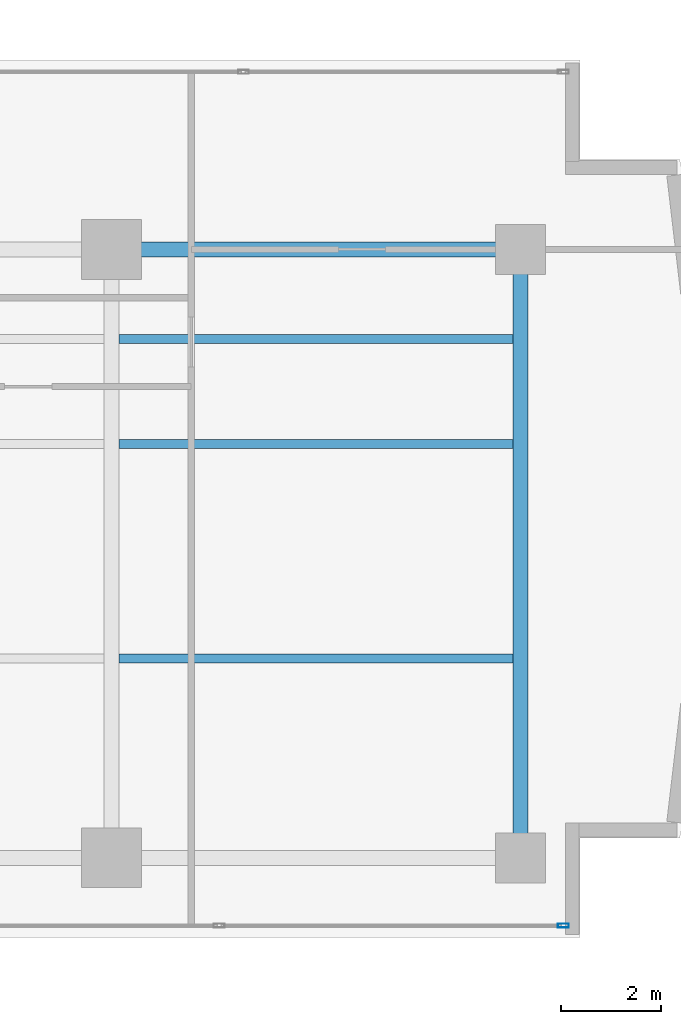
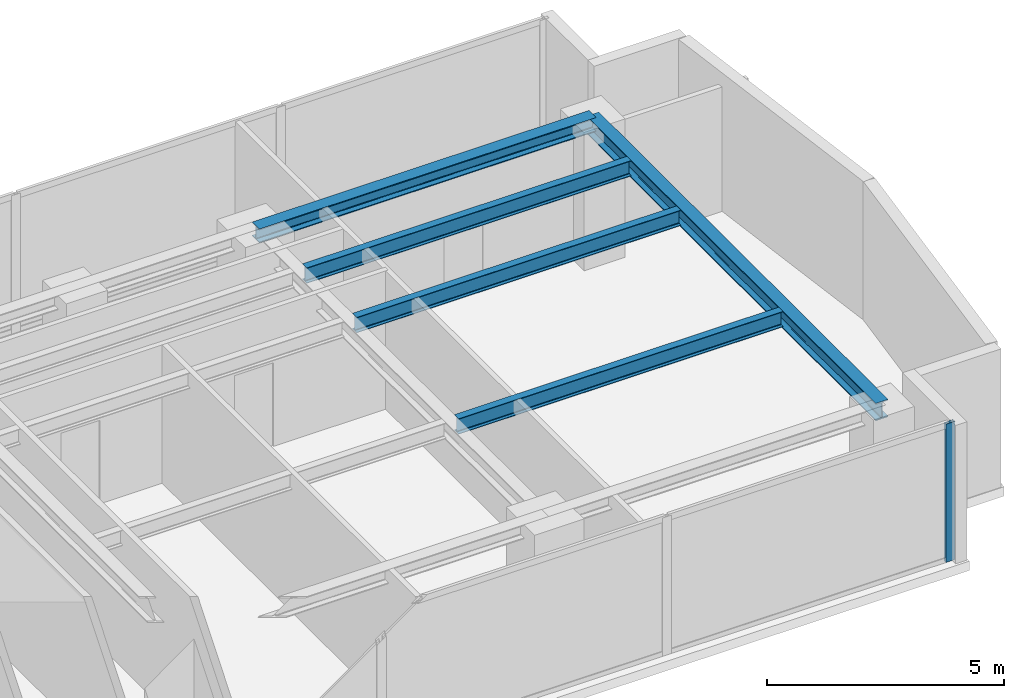
# One storey, part 13 of 28: 5 beams, 1 member, 1 element without a shape of its own.
"""IFC4 building model written with IfcOpenShell, lengths in metres."""

import ifcopenshell
import ifcopenshell.guid

model = None  # the IFC model being written
_history = None  # IfcOwnerHistory: only IFC2X3 demands one
_inside = {}  # id of a spatial element -> (the spatial element, [elements in it])
_under = {}  # id of a project, library or spatial element -> (it, [spatial elements below it])
_declared = {}  # id of a project -> (the project, [libraries it declares])
_typed = {}  # id of a type object -> (the type object, [elements of that type])
_made_of = {}  # id of a material, layer set ... -> (it, [elements and type objects made of it])


def new_model(schema):
    """Start an empty IFC model of exactly this schema.

    Asked for "IFC4X3", IfcOpenShell would pick the latest addendum, in which some entities
    have other attributes; the version numbers below select the first issue.
    IFC2X3 requires an IfcOwnerHistory on every rooted entity: one is made here for all.
    """
    global model, _history
    if schema == "IFC4X3":
        model = ifcopenshell.file(schema_version=(4, 3, 0, 0))
    else:
        model = ifcopenshell.file(schema=schema)
    _inside.clear()
    _under.clear()
    _declared.clear()
    _typed.clear()
    _made_of.clear()
    _history = None
    if model.schema == "IFC2X3":
        org = make("IfcOrganization", Name="unknown")
        user = make(
            "IfcPersonAndOrganization",
            ThePerson=make("IfcPerson", FamilyName="unknown"),
            TheOrganization=org,
        )
        app = make(
            "IfcApplication",
            ApplicationDeveloper=org,
            Version="unknown",
            ApplicationFullName="unknown",
            ApplicationIdentifier="unknown",
        )
        _history = make(
            "IfcOwnerHistory",
            OwningUser=user,
            OwningApplication=app,
            ChangeAction="ADDED",
            CreationDate=0,
        )
    return model


def make(cls, **values):
    """One entity of the class cls with the attributes given. An attribute that is None is left unset."""
    return model.create_entity(
        cls, **{name: value for name, value in values.items() if value is not None}
    )


def rooted(cls, **values):
    """An entity with a GlobalId (a new one), such as an element, a storey or a relation."""
    return make(cls, GlobalId=ifcopenshell.guid.new(), OwnerHistory=_history, **values)


def si_unit(unit_type, name, prefix=None):
    """IfcSIUnit, for example si_unit("LENGTHUNIT", "METRE", prefix="MILLI")."""
    return make("IfcSIUnit", UnitType=unit_type, Prefix=prefix, Name=name)


def assignment(units):
    """IfcUnitAssignment: the units of a project."""
    return None if units is None else make("IfcUnitAssignment", Units=units)


def point(xyz):
    """IfcCartesianPoint."""
    return None if xyz is None else make("IfcCartesianPoint", Coordinates=xyz)


def direction(xyz):
    """IfcDirection."""
    return None if xyz is None else make("IfcDirection", DirectionRatios=xyz)


def frame(location, z_axis=None, x_axis=None):
    """IfcAxis2Placement3D, a coordinate frame: its origin and axes. An axis left out is left unset."""
    return make(
        "IfcAxis2Placement3D",
        Location=point(location),
        Axis=direction(z_axis),
        RefDirection=direction(x_axis),
    )


def frame_2d(location, x_axis=None):
    """IfcAxis2Placement2D, a coordinate frame in the plane: its origin and x axis."""
    return make(
        "IfcAxis2Placement2D", Location=point(location), RefDirection=direction(x_axis)
    )


def origin():
    """The frame at (0, 0, 0) with its axes left unset."""
    return frame((0.0, 0.0, 0.0))


def origin_with_axes():
    """The frame at (0, 0, 0) with the z axis (0, 0, 1) and the x axis (1, 0, 0) written out."""
    return frame((0.0, 0.0, 0.0), z_axis=(0.0, 0.0, 1.0), x_axis=(1.0, 0.0, 0.0))


def origin_2d():
    """The frame at (0, 0) in the plane with its x axis left unset."""
    return frame_2d((0.0, 0.0))


def place(relative_to, where):
    """IfcLocalPlacement: puts the frame where relative to a parent placement (None: the world)."""
    return make(
        "IfcLocalPlacement", PlacementRelTo=relative_to, RelativePlacement=where
    )


def context(
    kind, dimensions, precision=None, world=None, true_north=None, identifier=None
):
    """IfcGeometricRepresentationContext, for example the 3D "Model" context."""
    return make(
        "IfcGeometricRepresentationContext",
        ContextIdentifier=identifier,
        ContextType=kind,
        CoordinateSpaceDimension=dimensions,
        Precision=precision,
        WorldCoordinateSystem=world,
        TrueNorth=true_north,
    )


def subcontext(parent, identifier, kind, view, scale=None):
    """IfcGeometricRepresentationSubContext, for example "Body" below "Model"."""
    return make(
        "IfcGeometricRepresentationSubContext",
        ContextIdentifier=identifier,
        ContextType=kind,
        ParentContext=parent,
        TargetScale=scale,
        TargetView=view,
    )


def project(units=None, contexts=None):
    """IfcProject with its units and contexts."""
    return rooted(
        "IfcProject",
        Name="project",
        RepresentationContexts=contexts,
        UnitsInContext=assignment(units),
    )


def spatial(cls, under=None, at=None, **own):
    """A site, building, storey or space (cls), placed at a placement, below another one or the project."""
    s = rooted(cls, ObjectPlacement=at, **own)
    if under is not None:
        _under.setdefault(under.id(), (under, []))[1].append(s)
    return s


def profile(cls, at=None, kind="AREA", **sizes):
    """A parametric profile (cls). Its sizes go by their IFC names, for example OverallWidth=200.0."""
    return make(cls, ProfileType=kind, Position=at, **sizes)


def hollow_rectangle(**sizes):
    """IfcRectangleHollowProfileDef."""
    return profile("IfcRectangleHollowProfileDef", **sizes)


def i_section(**sizes):
    """IfcIShapeProfileDef."""
    return profile("IfcIShapeProfileDef", **sizes)


def extrude(swept, where, along, depth):
    """IfcExtrudedAreaSolid: the profile swept, set in the frame where, extruded along a direction by depth."""
    return make(
        "IfcExtrudedAreaSolid",
        SweptArea=swept,
        Position=where,
        ExtrudedDirection=direction(along),
        Depth=depth,
    )


def shape(context_of_items, identifier, shape_type, items):
    """IfcShapeRepresentation: the items that make up one representation, for example the "Body"."""
    return make(
        "IfcShapeRepresentation",
        ContextOfItems=context_of_items,
        RepresentationIdentifier=identifier,
        RepresentationType=shape_type,
        Items=items,
    )


def source(mapping_origin, context_of_items, identifier, shape_type, items):
    """IfcRepresentationMap: a shape defined once, which mapped items show again and again."""
    return make(
        "IfcRepresentationMap",
        MappingOrigin=mapping_origin,
        MappedRepresentation=shape(context_of_items, identifier, shape_type, items),
    )


def transform(
    local_origin,
    x_axis=None,
    y_axis=None,
    z_axis=None,
    scale=None,
    scale2=None,
    scale3=None,
    uniform=True,
):
    """IfcCartesianTransformationOperator3D, or its non-uniform kind. x_axis, y_axis, z_axis: its Axis1, 2, 3."""
    if uniform:
        return make(
            "IfcCartesianTransformationOperator3D",
            Axis1=direction(x_axis),
            Axis2=direction(y_axis),
            LocalOrigin=point(local_origin),
            Scale=scale,
            Axis3=direction(z_axis),
        )
    return make(
        "IfcCartesianTransformationOperator3DnonUniform",
        Axis1=direction(x_axis),
        Axis2=direction(y_axis),
        LocalOrigin=point(local_origin),
        Scale=scale,
        Axis3=direction(z_axis),
        Scale2=scale2,
        Scale3=scale3,
    )


def mapped(mapping_source, mapping_target):
    """IfcMappedItem: shows the shape of a source again, moved by a transform."""
    return make(
        "IfcMappedItem", MappingSource=mapping_source, MappingTarget=mapping_target
    )


def material(Name=None, Category=None):
    """IfcMaterial."""
    return make("IfcMaterial", Name=Name, Category=Category)


def layer(
    of_material, thickness, ventilated=None, Name=None, Category=None, Priority=None
):
    """IfcMaterialLayer: one layer of a wall or slab, of a material (None: an air gap)."""
    return make(
        "IfcMaterialLayer",
        Material=of_material,
        LayerThickness=thickness,
        IsVentilated=ventilated,
        Name=Name,
        Category=Category,
        Priority=Priority,
    )


def layer_set(layers, Name=None):
    """IfcMaterialLayerSet."""
    return make("IfcMaterialLayerSet", MaterialLayers=layers, LayerSetName=Name)


def material_profile(
    of_material, cross_section, Name=None, Category=None, Priority=None
):
    """IfcMaterialProfile: a cross section and its material."""
    return make(
        "IfcMaterialProfile",
        Name=Name,
        Material=of_material,
        Profile=cross_section,
        Priority=Priority,
        Category=Category,
    )


def profile_set(profiles, Name=None, composite=None):
    """IfcMaterialProfileSet."""
    return make(
        "IfcMaterialProfileSet",
        Name=Name,
        MaterialProfiles=profiles,
        CompositeProfile=composite,
    )


def made_of(thing, what):
    """Note that an element or type object is made of a material, layer set ...; save() writes the relation."""
    if what is not None:
        _made_of.setdefault(what.id(), (what, []))[1].append(thing)
    return thing


def type_object(cls, material=None, **own):
    """A type object (cls), such as IfcWallType, which elements share."""
    return made_of(rooted(cls, **own), material)


def element(
    cls,
    number,
    at=None,
    inside=None,
    cuts=None,
    type_object=None,
    material=None,
    context=None,
    identifier="Body",
    shape_type=None,
    held_by="IfcProductDefinitionShape",
    body=None,
    shapes=None,
    **own,
):
    """One element of the class cls, such as IfcWall. Its Tag is "e" and its number.

    at: its placement. inside: the storey or other place that contains it. cuts: it is an
    opening in that element (IfcRelVoidsElement). A single representation is given by context,
    identifier, shape_type and body (its items); several are given by shapes. held_by: the class
    of the entity that holds the representations. save() writes the other relations.
    """
    e = rooted(cls, Tag="e%d" % number, ObjectPlacement=at, **own)
    if body is not None:
        shapes = [shape(context, identifier, shape_type, body)]
    if shapes is not None:
        e.Representation = make(held_by, Representations=shapes)
    if inside is not None:
        _inside.setdefault(inside.id(), (inside, []))[1].append(e)
    if cuts is not None:
        rooted(
            "IfcRelVoidsElement", RelatingBuildingElement=cuts, RelatedOpeningElement=e
        )
    if type_object is not None:
        _typed.setdefault(type_object.id(), (type_object, []))[1].append(e)
    return made_of(e, material)


def aggregate(whole, parts):
    """IfcRelAggregates: a whole, such as a stair, and the parts it consists of."""
    return rooted("IfcRelAggregates", RelatingObject=whole, RelatedObjects=parts)


def save(model, path):
    """Write the relations noted so far, then the file.

    IfcRelAggregates (storeys below a building ...), IfcRelContainedInSpatialStructure (elements
    in a storey), IfcRelDefinesByType, IfcRelAssociatesMaterial and IfcRelDeclares: one each for
    every whole, place, type object, material and project.
    """
    for whole, parts in _under.values():
        aggregate(whole, parts)
    for where, things in _inside.values():
        rooted(
            "IfcRelContainedInSpatialStructure",
            RelatedElements=things,
            RelatingStructure=where,
        )
    for kind, things in _typed.values():
        rooted("IfcRelDefinesByType", RelatedObjects=things, RelatingType=kind)
    for what, things in _made_of.values():
        rooted("IfcRelAssociatesMaterial", RelatedObjects=things, RelatingMaterial=what)
    for by, libraries in _declared.values():
        rooted("IfcRelDeclares", RelatingContext=by, RelatedDefinitions=libraries)
    model.write(path)


model = new_model("IFC4")

# Units and contexts
model_context = context("Model", 3, precision=1e-05, world=origin(), true_north=direction((0.0, 1.0)))
body_context = subcontext(model_context, "Body", "Model", "MODEL_VIEW")
ifc_project = project(units=[si_unit("LENGTHUNIT", "METRE"), si_unit("AREAUNIT", "SQUARE_METRE"), si_unit("VOLUMEUNIT", "CUBIC_METRE"), si_unit("PLANEANGLEUNIT", "RADIAN"), si_unit("MASSUNIT", "GRAM", prefix="KILO")], contexts=[model_context])

# Site, building, storey
site_placement = place(None, origin())
site = spatial("IfcSite", under=ifc_project, at=site_placement, CompositionType="ELEMENT")
building_placement = place(site_placement, origin())
building = spatial("IfcBuilding", under=site, at=building_placement, Name="Kolvaren Waterfront Exchange", CompositionType="ELEMENT")
storey_placement = place(building_placement, frame((0.0, 0.0, 146.199951171875)))
storey = spatial("IfcBuildingStorey", under=building, at=storey_placement, Name="L37", CompositionType="ELEMENT", Elevation=146.199951171875)

# Beams
ifc_material_1 = material(Name="Steel S355", Category="steel")
ifc_material_profile_1 = material_profile(ifc_material_1, i_section(OverallWidth=0.300048828125, OverallDepth=0.360107421875, WebThickness=0.012451171875, FlangeThickness=0.0224609375, FilletRadius=0.027099609375, at=origin_2d()), Name="HEB360")
ifc_profile_set_1 = profile_set([ifc_material_profile_1], Name="Steel S355")
beam_type_1 = type_object("IfcBeamType", Name="STR-BM-HEB360", PredefinedType="SPANDREL", material=ifc_profile_set_1)
beam_1_placement = place(storey_placement, frame((45.60009765625, 17.39990234375, 3.380126953125), z_axis=(1.0, 0.0, 0.0), x_axis=(0.0, 1.0, 0.0)))
element("IfcBeam", 1, at=beam_1_placement, inside=storey, type_object=beam_type_1, Name="L37 east-arm spandrel N4", PredefinedType="SPANDREL", context=body_context, shape_type="SweptSolid", body=[
    extrude(i_section(OverallWidth=0.300048828125, OverallDepth=0.360107421875, WebThickness=0.012451171875, FlangeThickness=0.0224609375, FilletRadius=0.027099609375, at=origin_2d()), origin(), (0.0, 0.0, 1.0), 8.199951171875),
])
ifc_material_profile_2 = material_profile(ifc_material_1, i_section(OverallWidth=0.300048828125, OverallDepth=0.449951171875, WebThickness=0.013916015625, FlangeThickness=0.02587890625, FilletRadius=0.027099609375, at=origin_2d()), Name="HEB450")
ifc_profile_set_2 = profile_set([ifc_material_profile_2], Name="Steel S355")
beam_type_2 = type_object("IfcBeamType", Name="STR-BM-HEB450", PredefinedType="BEAM", material=ifc_profile_set_2)
beam_2_placement = place(storey_placement, frame((53.800048828125, 5.199951171875, 3.3349609375), z_axis=(0.0, 1.0, 0.0), x_axis=(-1.0, 0.0, 0.0)))
element("IfcBeam", 2, at=beam_2_placement, inside=storey, type_object=beam_type_2, Name="L37 east-arm transverse girder X53", PredefinedType="BEAM", context=body_context, shape_type="SweptSolid", body=[
    extrude(i_section(OverallWidth=0.300048828125, OverallDepth=0.449951171875, WebThickness=0.013916015625, FlangeThickness=0.02587890625, FilletRadius=0.027099609375, at=origin_2d()), origin(), (0.0, 0.0, 1.0), 12.199951171875),
])
ifc_material_profile_3 = material_profile(ifc_material_1, i_section(OverallWidth=0.179931640625, OverallDepth=0.39990234375, WebThickness=0.008544921875, FlangeThickness=0.013427734375, FilletRadius=0.02099609375, at=origin_2d()), Name="IPE400")
ifc_profile_set_3 = profile_set([ifc_material_profile_3], Name="Steel S355")
beam_type_3 = type_object("IfcBeamType", Name="STR-BM-IPE400", PredefinedType="JOIST", material=ifc_profile_set_3)
for number, where, z_axis, x_axis, name in (
    (3, (45.751953125, 13.5, 3.360107421875), (1.0, 0.0, 0.0), (0.0, 1.0, 0.0), "L37 east-arm composite joist 4A"),
    (4, (45.751953125, 15.60009765625, 3.360107421875), (1.0, 0.0, 0.0), (0.0, 1.0, 0.0), "L37 east-arm composite joist 4C"),
    (5, (45.751953125, 9.199951171875, 3.360107421875), (1.0, 0.0, 0.0), (0.0, 1.0, 0.0), "L37 east-arm composite joist 4B"),
):
    element("IfcBeam", number, at=place(storey_placement, frame(where, z_axis=z_axis, x_axis=x_axis)), inside=storey, type_object=beam_type_3, Name=name, PredefinedType="JOIST", context=body_context, shape_type="SweptSolid", body=[
        extrude(i_section(OverallWidth=0.179931640625, OverallDepth=0.39990234375, WebThickness=0.008544921875, FlangeThickness=0.013427734375, FilletRadius=0.02099609375, at=origin_2d()), origin(), (0.0, 0.0, 1.0), 7.89599609375),
    ])

# Curtain wall, member
ifc_material_2 = material(Name="Anodised bronze aluminium 6063-T6", Category="aluminium")
ifc_layer = layer(ifc_material_2, 0.219970703125, Name="Anodised bronze aluminium 6063-T6")
ifc_layer_set = layer_set([ifc_layer], Name="Anodised bronze aluminium 6063-T6")
curtain_wall_type = type_object("IfcCurtainWallType", Name="ARC-CW-SYS1", PredefinedType="USERDEFINED", material=ifc_layer_set)
curtain_wall_placement = place(storey_placement, origin())
curtain_wall = element("IfcCurtainWall", 6, at=curtain_wall_placement, inside=storey, type_object=curtain_wall_type, Name="L37 stick curtain wall CW1 (CW-L37-S)", ObjectType="STICK CURTAIN WALL", PredefinedType="USERDEFINED")
ifc_material_3 = material(Name="Anodised aluminium 6063-T6", Category="aluminium")
ifc_material_profile_4 = material_profile(ifc_material_3, hollow_rectangle(XDim=0.080078125, YDim=0.219970703125, WallThickness=0.0048828125, at=origin_2d()), Name="ALU-MUL-220x80x5")
ifc_profile_set_4 = profile_set([ifc_material_profile_4], Name="Anodised aluminium 6063-T6")
member_type = type_object("IfcMemberType", Name="ARC-CWM-220", PredefinedType="MULLION", material=ifc_profile_set_4)
shared_shape = source(origin_with_axes(), body_context, "Body", "SweptSolid", [
    extrude(hollow_rectangle(XDim=0.080078125, YDim=0.219970703125, WallThickness=0.0048828125, at=origin_2d()), origin(), (0.0, 0.0, 1.0), 3.56005859375),
])
member_placement = place(storey_placement, frame((54.659912109375, 3.840087890625, 0.0), z_axis=(0.0, 0.0, 1.0), x_axis=(0.0, 1.0, 0.0)))
member = element("IfcMember", 7, at=member_placement, type_object=member_type, Name="CW1 mullion 8", PredefinedType="MULLION", context=body_context, shape_type="MappedRepresentation", body=[
    mapped(shared_shape, transform((0.0, 0.0, 0.0), x_axis=(1.0, 0.0, 0.0), y_axis=(0.0, 1.0, 0.0), z_axis=(0.0, 0.0, 1.0), scale=1.0)),
])
aggregate(curtain_wall, [member])

save(model, "model.ifc")
